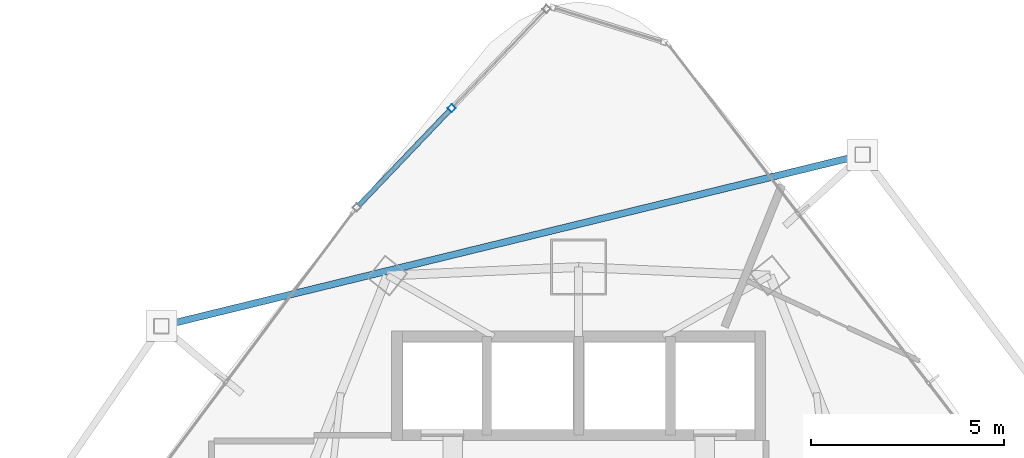
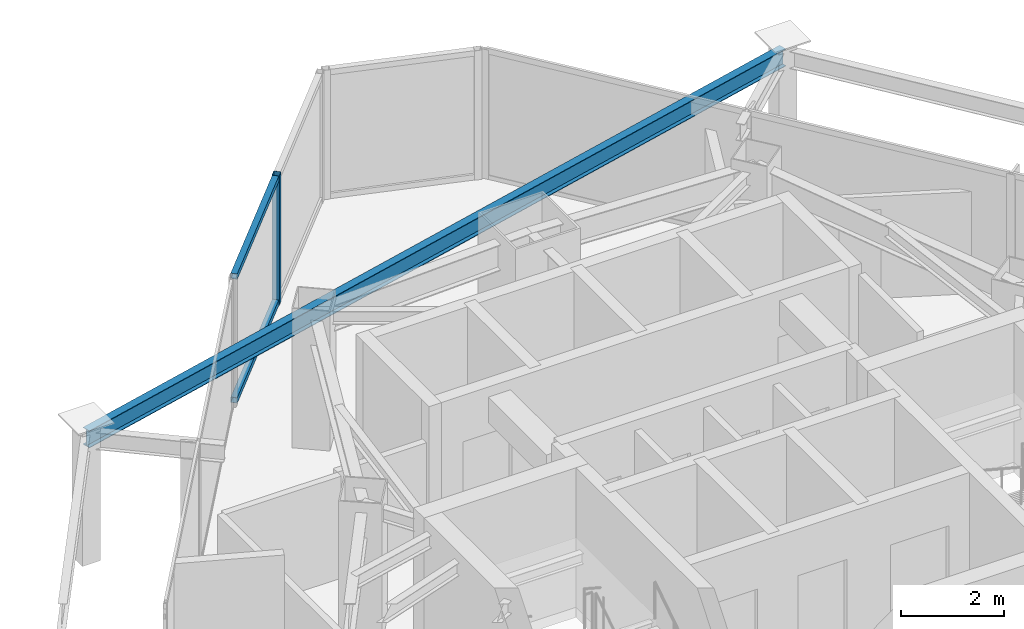
# One storey, part 23 of 31: 3 members, 1 beam, 1 element without a shape of its own.
"""IFC4 building model written with IfcOpenShell, lengths in metres."""

from ifc_helpers import new_model, si_unit, direction, frame, origin, origin_2d, place, context, subcontext, project, spatial, hollow_rectangle, i_section, extrude, material, layer, layer_set, material_profile, profile_set, type_object, element, aggregate, save


model = new_model("IFC4")

# Units and contexts
model_context = context("Model", 3, precision=1e-05, world=origin(), true_north=direction((0.0, 1.0)))
body_context = subcontext(model_context, "Body", "Model", "MODEL_VIEW")
ifc_project = project(units=[si_unit("LENGTHUNIT", "METRE"), si_unit("AREAUNIT", "SQUARE_METRE"), si_unit("VOLUMEUNIT", "CUBIC_METRE"), si_unit("PLANEANGLEUNIT", "RADIAN"), si_unit("MASSUNIT", "GRAM", prefix="KILO")], contexts=[model_context])

# Site, building, storey
site_placement = place(None, origin())
site = spatial("IfcSite", under=ifc_project, at=site_placement, CompositionType="ELEMENT")
building_placement = place(site_placement, origin())
building = spatial("IfcBuilding", under=site, at=building_placement, Name="Orvanel Arch Residences", CompositionType="ELEMENT")
storey_placement = place(building_placement, frame((0.0, 0.0, 157.25)))
storey = spatial("IfcBuildingStorey", under=building, at=storey_placement, Name="L44", CompositionType="ELEMENT", Elevation=157.25)

# Curtain wall, member
ifc_material_1 = material(Name="Bronze-anodised aluminium AA6063-T6", Category="aluminium")
ifc_layer = layer(ifc_material_1, 0.18994140625)
ifc_layer_set = layer_set([ifc_layer], Name="Bronze-anodised aluminium AA6063-T6")
curtain_wall_type = type_object("IfcCurtainWallType", Name="CW5-CRN-SYS", PredefinedType="NOTDEFINED", material=ifc_layer_set)
curtain_wall_placement = place(storey_placement, origin())
curtain_wall = element("IfcCurtainWall", 1, at=curtain_wall_placement, inside=storey, type_object=curtain_wall_type, Name="L44 CW5-CRN-SYS Unitised Curtain Wall", PredefinedType="NOTDEFINED")
ifc_material_profile_1 = material_profile(ifc_material_1, hollow_rectangle(XDim=0.14990234375, YDim=0.14990234375, WallThickness=0.0048828125, at=origin_2d()), Name="ALU150x150x5")
ifc_profile_set_1 = profile_set([ifc_material_profile_1], Name="Bronze-anodised aluminium AA6063-T6")
member_type_1 = type_object("IfcMemberType", Name="MUL-150x150", PredefinedType="MULLION", material=ifc_profile_set_1)
member_1_placement = place(storey_placement, frame((29.714599609375, 45.506591796875, 0.0), z_axis=(0.0, 0.0, 1.0), x_axis=(0.723045752642, -0.69080014446, 0.0)))
member_1 = element("IfcMember", 2, at=member_1_placement, type_object=member_type_1, Name="CW-S5 mullion 2", PredefinedType="MULLION", context=body_context, shape_type="SweptSolid", body=[
    extrude(hollow_rectangle(XDim=0.14990234375, YDim=0.14990234375, WallThickness=0.0048828125, at=origin_2d()), origin(), (0.0, 0.0, 1.0), 3.06005859375),
])

# Beam
ifc_material_2 = material(Name="Structural steel AS/NZS 3679.1 Grade 300 (300 MPa)", Category="steel")
ifc_material_profile_2 = material_profile(ifc_material_2, i_section(OverallWidth=0.177978515625, OverallDepth=0.406005859375, WebThickness=0.0078125, FlangeThickness=0.0126953125, at=origin_2d()), Name="410UB59.7")
ifc_profile_set_2 = profile_set([ifc_material_profile_2], Name="Structural steel AS/NZS 3679.1 Grade 300 (300 MPa)")
beam_type = type_object("IfcBeamType", Name="OB-410UB-EXT", PredefinedType="SPANDREL", material=ifc_profile_set_2)
beam_placement = place(storey_placement, frame((40.346923828125, 44.302001953125, 2.85693359375), z_axis=(-0.971457544465, -0.237213488868, 0.0), x_axis=(0.237213488868, -0.971457544465, 0.0)))
element("IfcBeam", 3, at=beam_placement, inside=storey, type_object=beam_type, Name="L44 Outer Perimeter Floor Ring Beam 12", PredefinedType="SPANDREL", context=body_context, shape_type="SweptSolid", body=[
    extrude(i_section(OverallWidth=0.177978515625, OverallDepth=0.406005859375, WebThickness=0.0078125, FlangeThickness=0.0126953125, at=origin_2d()), origin(), (0.0, 0.0, 1.0), 18.6748046875),
])

# Member
ifc_material_profile_3 = material_profile(ifc_material_1, hollow_rectangle(XDim=0.1298828125, YDim=0.1298828125, WallThickness=0.00439453125, at=origin_2d()), Name="ALU130x130x4.5")
ifc_profile_set_3 = profile_set([ifc_material_profile_3], Name="Bronze-anodised aluminium AA6063-T6")
member_type_2 = type_object("IfcMemberType", Name="TRN-130x130", PredefinedType="USERDEFINED", material=ifc_profile_set_3)
member_2_placement = place(storey_placement, frame((29.66259765625, 45.452392578125, 0.06494140625), z_axis=(-0.690782776575, -0.723062345574, 0.0), x_axis=(0.723062345574, -0.690782776575, 0.0)))
member_2 = element("IfcMember", 4, at=member_2_placement, type_object=member_type_2, Name="CW-S5 transom 2.1", ObjectType="TRANSOM", PredefinedType="USERDEFINED", context=body_context, shape_type="SweptSolid", body=[
    extrude(hollow_rectangle(XDim=0.1298828125, YDim=0.1298828125, WallThickness=0.00439453125, at=origin_2d()), origin(), (0.0, 0.0, 1.0), 3.403564453125),
])

member_3_placement = place(storey_placement, frame((29.66259765625, 45.452392578125, 2.9951171875), z_axis=(-0.690782776575, -0.723062345574, 0.0), x_axis=(0.723062345574, -0.690782776575, 0.0)))
member_3 = element("IfcMember", 5, at=member_3_placement, type_object=member_type_2, Name="CW-S5 transom 2.2", ObjectType="TRANSOM", PredefinedType="USERDEFINED", context=body_context, shape_type="SweptSolid", body=[
    extrude(hollow_rectangle(XDim=0.1298828125, YDim=0.1298828125, WallThickness=0.00439453125, at=origin_2d()), origin(), (0.0, 0.0, 1.0), 3.403564453125),
])

aggregate(curtain_wall, [member_1, member_2, member_3])

save(model, "model.ifc")
